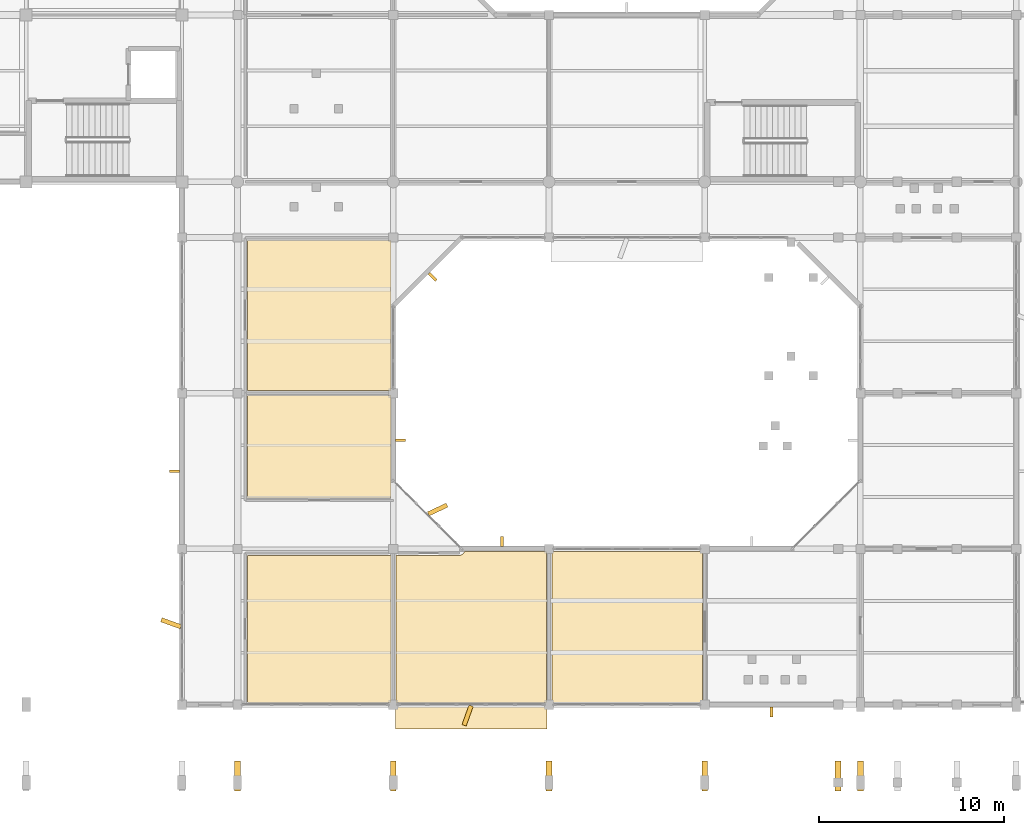
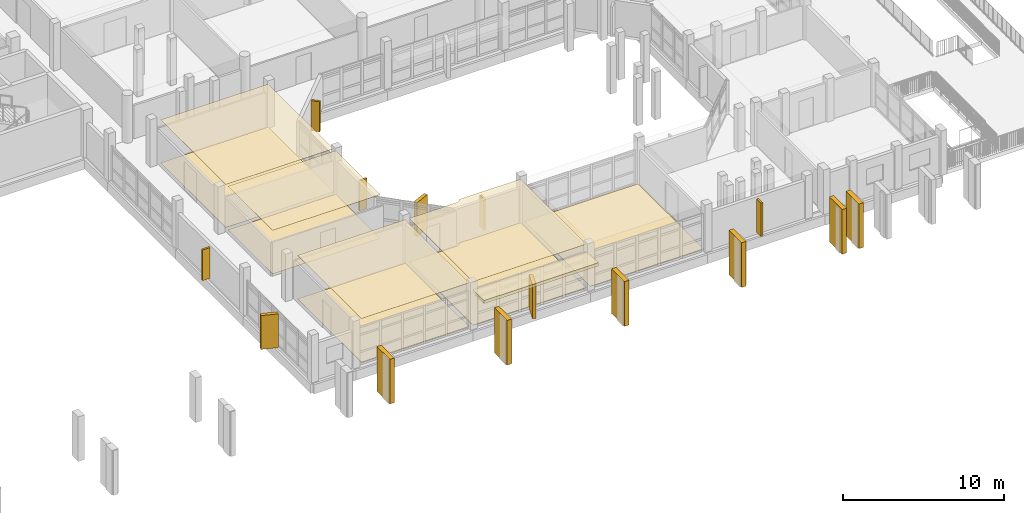
# One storey, part 80 of 104: 19 coverings, 5 shading devices.
"""IFC4 building model written with IfcOpenShell, lengths in metres."""

from ifc_helpers import new_model, si_unit, direction, frame, origin, origin_2d, place, context, subcontext, project, spatial, polyline, rectangle, outline, extrude, material, layer, layer_set, type_object, element, save


model = new_model("IFC4")

# Units and contexts
model_context = context("Model", 3, precision=1e-05, world=origin(), true_north=direction((0.0, 1.0)))
body_context = subcontext(model_context, "Body", "Model", "MODEL_VIEW")
ifc_project = project(units=[si_unit("LENGTHUNIT", "METRE"), si_unit("AREAUNIT", "SQUARE_METRE"), si_unit("VOLUMEUNIT", "CUBIC_METRE"), si_unit("PLANEANGLEUNIT", "RADIAN"), si_unit("MASSUNIT", "GRAM", prefix="KILO")], contexts=[model_context])

# Site, building, storey
site_placement = place(None, origin())
site = spatial("IfcSite", under=ifc_project, at=site_placement, CompositionType="ELEMENT")
building_placement = place(site_placement, origin())
building = spatial("IfcBuilding", under=site, at=building_placement, Name="Vanh Quang Courtyard School", CompositionType="ELEMENT")
storey_placement = place(building_placement, frame((0.0, 0.0, 4.199951171875)))
storey = spatial("IfcBuildingStorey", under=building, at=storey_placement, Name="L01", CompositionType="ELEMENT", Elevation=4.199951171875)

# Coverings
ifc_material_1 = material(Name="Perforated mineral-fibre acoustic ceiling board")
ifc_layer_1 = layer(ifc_material_1, 0.02490234375)
ifc_layer_set_1 = layer_set([ifc_layer_1], Name="Perforated mineral-fibre acoustic ceiling board")
covering_type_1 = type_object("IfcCoveringType", Name="COV-CEIL-ACOUSTIC", PredefinedType="CEILING", material=ifc_layer_set_1)
covering_1_placement = place(storey_placement, frame((0.0, 0.0, 3.295166015625)))
element("IfcCovering", 1, at=covering_1_placement, inside=storey, type_object=covering_type_1, Name="Covering CV-CL1 (L01)", PredefinedType="CEILING", context=body_context, shape_type="SweptSolid", body=[
    extrude(outline(polyline([(77.9599609375, 4.330078125), (77.958984375, 4.330078125), (77.9580078125, 4.330078125), (77.95703125, 4.330322265625), (77.956298828125, 4.330810546875), (77.955322265625, 4.331298828125), (77.954345703125, 4.331787109375), (77.95361328125, 4.332275390625), (77.952880859375, 4.3330078125), (77.952392578125, 4.333740234375), (77.95166015625, 4.33447265625), (77.951171875, 4.335205078125), (77.95068359375, 4.336181640625), (77.950439453125, 4.337158203125), (77.9501953125, 4.337890625), (77.949951171875, 4.339111328125), (77.949951171875, 4.340087890625), (77.949951171875, 12.239990234375), (77.949951171875, 12.240966796875), (77.9501953125, 12.241943359375), (77.950439453125, 12.242919921875), (77.95068359375, 12.243896484375), (77.951171875, 12.24462890625), (77.95166015625, 12.24560546875), (77.952392578125, 12.246337890625), (77.952880859375, 12.2470703125), (77.95361328125, 12.247802734375), (77.954345703125, 12.248291015625), (77.955322265625, 12.248779296875), (77.956298828125, 12.249267578125), (77.95703125, 12.24951171875), (77.9580078125, 12.249755859375), (77.958984375, 12.25), (77.9599609375, 12.25), (85.659912109375, 12.25), (85.660888671875, 12.25), (85.662109375, 12.249755859375), (85.662841796875, 12.24951171875), (85.663818359375, 12.249267578125), (85.664794921875, 12.248779296875), (85.66552734375, 12.248291015625), (85.666259765625, 12.247802734375), (85.6669921875, 12.2470703125), (85.667724609375, 12.246337890625), (85.668212890625, 12.24560546875), (85.668701171875, 12.24462890625), (85.669189453125, 12.243896484375), (85.669677734375, 12.242919921875), (85.669921875, 12.241943359375), (85.669921875, 12.240966796875), (85.669921875, 12.239990234375), (85.669921875, 4.340087890625), (85.669921875, 4.339111328125), (85.669921875, 4.337890625), (85.669677734375, 4.337158203125), (85.669189453125, 4.336181640625), (85.668701171875, 4.335205078125), (85.668212890625, 4.33447265625), (85.667724609375, 4.333740234375), (85.6669921875, 4.3330078125), (85.666259765625, 4.332275390625), (85.66552734375, 4.331787109375), (85.664794921875, 4.331298828125), (85.663818359375, 4.330810546875), (85.662841796875, 4.330322265625), (85.662109375, 4.330078125), (85.660888671875, 4.330078125), (85.659912109375, 4.330078125), (77.9599609375, 4.330078125)])), origin(), (0.0, 0.0, 1.0), 0.02490234375),
])
covering_2_placement = place(storey_placement, frame((0.0, 0.0, 3.295166015625)))
element("IfcCovering", 2, at=covering_2_placement, inside=storey, type_object=covering_type_1, Name="Covering CV-CL1 (L01)", PredefinedType="CEILING", context=body_context, shape_type="SweptSolid", body=[
    extrude(outline(polyline([(77.9599609375, 15.35009765625), (77.958984375, 15.35009765625), (77.9580078125, 15.35009765625), (77.95703125, 15.350341796875), (77.956298828125, 15.350830078125), (77.955322265625, 15.351318359375), (77.954345703125, 15.351806640625), (77.95361328125, 15.352294921875), (77.952880859375, 15.352783203125), (77.952392578125, 15.353759765625), (77.95166015625, 15.3544921875), (77.951171875, 15.355224609375), (77.95068359375, 15.356201171875), (77.950439453125, 15.357177734375), (77.9501953125, 15.35791015625), (77.949951171875, 15.35888671875), (77.949951171875, 15.360107421875), (77.949951171875, 20.860107421875), (77.949951171875, 20.861083984375), (77.9501953125, 20.862060546875), (77.950439453125, 20.86279296875), (77.95068359375, 20.86376953125), (77.951171875, 20.86474609375), (77.95166015625, 20.865478515625), (77.952392578125, 20.8662109375), (77.952880859375, 20.8671875), (77.95361328125, 20.86767578125), (77.954345703125, 20.868408203125), (77.955322265625, 20.868896484375), (77.956298828125, 20.869140625), (77.95703125, 20.86962890625), (77.9580078125, 20.869873046875), (77.958984375, 20.8701171875), (77.9599609375, 20.8701171875), (85.659912109375, 20.8701171875), (85.660888671875, 20.8701171875), (85.662109375, 20.869873046875), (85.662841796875, 20.86962890625), (85.663818359375, 20.869140625), (85.664794921875, 20.868896484375), (85.66552734375, 20.868408203125), (85.666259765625, 20.86767578125), (85.6669921875, 20.8671875), (85.667724609375, 20.8662109375), (85.668212890625, 20.865478515625), (85.668701171875, 20.86474609375), (85.669189453125, 20.86376953125), (85.669677734375, 20.86279296875), (85.669921875, 20.862060546875), (85.669921875, 20.861083984375), (85.669921875, 20.860107421875), (85.669921875, 15.360107421875), (85.669921875, 15.35888671875), (85.669921875, 15.35791015625), (85.669677734375, 15.357177734375), (85.669189453125, 15.356201171875), (85.668701171875, 15.355224609375), (85.668212890625, 15.3544921875), (85.667724609375, 15.353759765625), (85.6669921875, 15.352783203125), (85.666259765625, 15.352294921875), (85.66552734375, 15.351806640625), (85.664794921875, 15.351318359375), (85.663818359375, 15.350830078125), (85.662841796875, 15.350341796875), (85.662109375, 15.35009765625), (85.660888671875, 15.35009765625), (85.659912109375, 15.35009765625), (77.9599609375, 15.35009765625)])), origin(), (0.0, 0.0, 1.0), 0.02490234375),
])
covering_3_placement = place(storey_placement, frame((0.0, 0.0, 3.255126953125)))
element("IfcCovering", 3, at=covering_3_placement, inside=storey, type_object=covering_type_1, Name="Covering CV-CL1 (L01)", PredefinedType="CEILING", context=body_context, shape_type="SweptSolid", body=[
    extrude(outline(polyline([(77.9599609375, 21.14990234375), (77.958984375, 21.14990234375), (77.9580078125, 21.150146484375), (77.95703125, 21.150390625), (77.956298828125, 21.15087890625), (77.955322265625, 21.151123046875), (77.954345703125, 21.151611328125), (77.95361328125, 21.15234375), (77.952880859375, 21.15283203125), (77.952392578125, 21.15380859375), (77.95166015625, 21.154296875), (77.951171875, 21.1552734375), (77.95068359375, 21.15625), (77.950439453125, 21.156982421875), (77.9501953125, 21.157958984375), (77.949951171875, 21.158935546875), (77.949951171875, 21.159912109375), (77.949951171875, 29.239990234375), (77.949951171875, 29.240966796875), (77.9501953125, 29.241943359375), (77.950439453125, 29.242919921875), (77.95068359375, 29.243896484375), (77.951171875, 29.24462890625), (77.95166015625, 29.24560546875), (77.952392578125, 29.246337890625), (77.952880859375, 29.2470703125), (77.95361328125, 29.247802734375), (77.954345703125, 29.248291015625), (77.955322265625, 29.248779296875), (77.956298828125, 29.249267578125), (77.95703125, 29.24951171875), (77.9580078125, 29.249755859375), (77.958984375, 29.25), (77.9599609375, 29.25), (85.659912109375, 29.25), (85.660888671875, 29.25), (85.662109375, 29.249755859375), (85.662841796875, 29.24951171875), (85.663818359375, 29.249267578125), (85.664794921875, 29.248779296875), (85.66552734375, 29.248291015625), (85.666259765625, 29.247802734375), (85.6669921875, 29.2470703125), (85.667724609375, 29.246337890625), (85.668212890625, 29.24560546875), (85.668701171875, 29.24462890625), (85.669189453125, 29.243896484375), (85.669677734375, 29.242919921875), (85.669921875, 29.241943359375), (85.669921875, 29.240966796875), (85.669921875, 29.239990234375), (85.669921875, 21.159912109375), (85.669921875, 21.158935546875), (85.669921875, 21.157958984375), (85.669677734375, 21.156982421875), (85.669189453125, 21.15625), (85.668701171875, 21.1552734375), (85.668212890625, 21.154296875), (85.667724609375, 21.15380859375), (85.6669921875, 21.15283203125), (85.666259765625, 21.15234375), (85.66552734375, 21.151611328125), (85.664794921875, 21.151123046875), (85.663818359375, 21.15087890625), (85.662841796875, 21.150390625), (85.662109375, 21.150146484375), (85.660888671875, 21.14990234375), (85.659912109375, 21.14990234375), (77.9599609375, 21.14990234375)])), origin(), (0.0, 0.0, 1.0), 0.02490234375),
])
covering_4_placement = place(storey_placement, frame((0.0, 0.0, 3.295166015625)))
element("IfcCovering", 4, at=covering_4_placement, inside=storey, type_object=covering_type_1, Name="Covering CV-CL1 (L01)", PredefinedType="CEILING", context=body_context, shape_type="SweptSolid", body=[
    extrude(outline(polyline([(85.9599609375, 4.330078125), (85.958984375, 4.330078125), (85.9580078125, 4.330078125), (85.95703125, 4.330322265625), (85.956298828125, 4.330810546875), (85.955322265625, 4.331298828125), (85.954345703125, 4.331787109375), (85.95361328125, 4.332275390625), (85.952880859375, 4.3330078125), (85.952392578125, 4.333740234375), (85.95166015625, 4.33447265625), (85.951171875, 4.335205078125), (85.95068359375, 4.336181640625), (85.950439453125, 4.337158203125), (85.9501953125, 4.337890625), (85.949951171875, 4.339111328125), (85.949951171875, 4.340087890625), (85.949951171875, 12.239990234375), (85.949951171875, 12.240966796875), (85.9501953125, 12.241943359375), (85.950439453125, 12.242919921875), (85.95068359375, 12.243896484375), (85.951171875, 12.24462890625), (85.95166015625, 12.24560546875), (85.952392578125, 12.246337890625), (85.952880859375, 12.2470703125), (85.95361328125, 12.247802734375), (85.954345703125, 12.248291015625), (85.955322265625, 12.248779296875), (85.956298828125, 12.249267578125), (85.95703125, 12.24951171875), (85.9580078125, 12.249755859375), (85.958984375, 12.25), (85.9599609375, 12.25), (89.37939453125, 12.2509765625), (89.462646484375, 12.269775390625), (89.547119140625, 12.3203125), (89.6025390625, 12.384521484375), (89.637939453125, 12.464111328125), (89.63818359375, 12.46484375), (89.638916015625, 12.4658203125), (89.639404296875, 12.466552734375), (89.639892578125, 12.46728515625), (89.640869140625, 12.4677734375), (89.6416015625, 12.468505859375), (89.642333984375, 12.468994140625), (89.643310546875, 12.46923828125), (89.644287109375, 12.469482421875), (89.64501953125, 12.4697265625), (89.64599609375, 12.469970703125), (89.64697265625, 12.469970703125), (94.06005859375, 12.469970703125), (94.06103515625, 12.469970703125), (94.06201171875, 12.4697265625), (94.06298828125, 12.469482421875), (94.063720703125, 12.46923828125), (94.064697265625, 12.46875), (94.065673828125, 12.46826171875), (94.06640625, 12.4677734375), (94.067138671875, 12.467041015625), (94.067626953125, 12.46630859375), (94.068359375, 12.465576171875), (94.06884765625, 12.464599609375), (94.069091796875, 12.4638671875), (94.069580078125, 12.462890625), (94.06982421875, 12.4619140625), (94.070068359375, 12.4609375), (94.070068359375, 12.4599609375), (94.070068359375, 4.340087890625), (94.070068359375, 4.339111328125), (94.06982421875, 4.337890625), (94.069580078125, 4.337158203125), (94.069091796875, 4.336181640625), (94.06884765625, 4.335205078125), (94.068359375, 4.33447265625), (94.067626953125, 4.333740234375), (94.067138671875, 4.3330078125), (94.06640625, 4.332275390625), (94.065673828125, 4.331787109375), (94.064697265625, 4.331298828125), (94.063720703125, 4.330810546875), (94.06298828125, 4.330322265625), (94.06201171875, 4.330078125), (94.06103515625, 4.330078125), (94.06005859375, 4.330078125), (85.9599609375, 4.330078125)])), origin(), (0.0, 0.0, 1.0), 0.02490234375),
])
ifc_material_2 = material(Name="Polished cementitious terrazzo tile", Category="concrete")
ifc_layer_2 = layer(ifc_material_2, 0.02001953125)
ifc_layer_set_2 = layer_set([ifc_layer_2], Name="Polished cementitious terrazzo tile")
covering_type_2 = type_object("IfcCoveringType", Name="COV-FLR-TERRAZZO", PredefinedType="FLOORING", material=ifc_layer_set_2)
covering_5_placement = place(storey_placement, origin())
element("IfcCovering", 5, at=covering_5_placement, inside=storey, type_object=covering_type_2, Name="Covering CV-FL1 (L01)", PredefinedType="FLOORING", context=body_context, shape_type="SweptSolid", body=[
    extrude(outline(polyline([(77.9599609375, 4.330078125), (77.958984375, 4.330078125), (77.9580078125, 4.330078125), (77.95703125, 4.330322265625), (77.956298828125, 4.330810546875), (77.955322265625, 4.331298828125), (77.954345703125, 4.331787109375), (77.95361328125, 4.332275390625), (77.952880859375, 4.3330078125), (77.952392578125, 4.333740234375), (77.95166015625, 4.33447265625), (77.951171875, 4.335205078125), (77.95068359375, 4.336181640625), (77.950439453125, 4.337158203125), (77.9501953125, 4.337890625), (77.949951171875, 4.339111328125), (77.949951171875, 4.340087890625), (77.949951171875, 12.239990234375), (77.949951171875, 12.240966796875), (77.9501953125, 12.241943359375), (77.950439453125, 12.242919921875), (77.95068359375, 12.243896484375), (77.951171875, 12.24462890625), (77.95166015625, 12.24560546875), (77.952392578125, 12.246337890625), (77.952880859375, 12.2470703125), (77.95361328125, 12.247802734375), (77.954345703125, 12.248291015625), (77.955322265625, 12.248779296875), (77.956298828125, 12.249267578125), (77.95703125, 12.24951171875), (77.9580078125, 12.249755859375), (77.958984375, 12.25), (77.9599609375, 12.25), (85.659912109375, 12.25), (85.660888671875, 12.25), (85.662109375, 12.249755859375), (85.662841796875, 12.24951171875), (85.663818359375, 12.249267578125), (85.664794921875, 12.248779296875), (85.66552734375, 12.248291015625), (85.666259765625, 12.247802734375), (85.6669921875, 12.2470703125), (85.667724609375, 12.246337890625), (85.668212890625, 12.24560546875), (85.668701171875, 12.24462890625), (85.669189453125, 12.243896484375), (85.669677734375, 12.242919921875), (85.669921875, 12.241943359375), (85.669921875, 12.240966796875), (85.669921875, 12.239990234375), (85.669921875, 4.340087890625), (85.669921875, 4.339111328125), (85.669921875, 4.337890625), (85.669677734375, 4.337158203125), (85.669189453125, 4.336181640625), (85.668701171875, 4.335205078125), (85.668212890625, 4.33447265625), (85.667724609375, 4.333740234375), (85.6669921875, 4.3330078125), (85.666259765625, 4.332275390625), (85.66552734375, 4.331787109375), (85.664794921875, 4.331298828125), (85.663818359375, 4.330810546875), (85.662841796875, 4.330322265625), (85.662109375, 4.330078125), (85.660888671875, 4.330078125), (85.659912109375, 4.330078125), (77.9599609375, 4.330078125)])), origin(), (0.0, 0.0, 1.0), 0.02001953125),
])
covering_6_placement = place(storey_placement, origin())
element("IfcCovering", 6, at=covering_6_placement, inside=storey, type_object=covering_type_2, Name="Covering CV-FL1 (L01)", PredefinedType="FLOORING", context=body_context, shape_type="SweptSolid", body=[
    extrude(outline(polyline([(77.9599609375, 15.35009765625), (77.958984375, 15.35009765625), (77.9580078125, 15.35009765625), (77.95703125, 15.350341796875), (77.956298828125, 15.350830078125), (77.955322265625, 15.351318359375), (77.954345703125, 15.351806640625), (77.95361328125, 15.352294921875), (77.952880859375, 15.352783203125), (77.952392578125, 15.353759765625), (77.95166015625, 15.3544921875), (77.951171875, 15.355224609375), (77.95068359375, 15.356201171875), (77.950439453125, 15.357177734375), (77.9501953125, 15.35791015625), (77.949951171875, 15.35888671875), (77.949951171875, 15.360107421875), (77.949951171875, 20.860107421875), (77.949951171875, 20.861083984375), (77.9501953125, 20.862060546875), (77.950439453125, 20.86279296875), (77.95068359375, 20.86376953125), (77.951171875, 20.86474609375), (77.95166015625, 20.865478515625), (77.952392578125, 20.8662109375), (77.952880859375, 20.8671875), (77.95361328125, 20.86767578125), (77.954345703125, 20.868408203125), (77.955322265625, 20.868896484375), (77.956298828125, 20.869140625), (77.95703125, 20.86962890625), (77.9580078125, 20.869873046875), (77.958984375, 20.8701171875), (77.9599609375, 20.8701171875), (85.659912109375, 20.8701171875), (85.660888671875, 20.8701171875), (85.662109375, 20.869873046875), (85.662841796875, 20.86962890625), (85.663818359375, 20.869140625), (85.664794921875, 20.868896484375), (85.66552734375, 20.868408203125), (85.666259765625, 20.86767578125), (85.6669921875, 20.8671875), (85.667724609375, 20.8662109375), (85.668212890625, 20.865478515625), (85.668701171875, 20.86474609375), (85.669189453125, 20.86376953125), (85.669677734375, 20.86279296875), (85.669921875, 20.862060546875), (85.669921875, 20.861083984375), (85.669921875, 20.860107421875), (85.669921875, 15.360107421875), (85.669921875, 15.35888671875), (85.669921875, 15.35791015625), (85.669677734375, 15.357177734375), (85.669189453125, 15.356201171875), (85.668701171875, 15.355224609375), (85.668212890625, 15.3544921875), (85.667724609375, 15.353759765625), (85.6669921875, 15.352783203125), (85.666259765625, 15.352294921875), (85.66552734375, 15.351806640625), (85.664794921875, 15.351318359375), (85.663818359375, 15.350830078125), (85.662841796875, 15.350341796875), (85.662109375, 15.35009765625), (85.660888671875, 15.35009765625), (85.659912109375, 15.35009765625), (77.9599609375, 15.35009765625)])), origin(), (0.0, 0.0, 1.0), 0.02001953125),
])
covering_7_placement = place(storey_placement, origin())
element("IfcCovering", 7, at=covering_7_placement, inside=storey, type_object=covering_type_2, Name="Covering CV-FL1 (L01)", PredefinedType="FLOORING", context=body_context, shape_type="SweptSolid", body=[
    extrude(outline(polyline([(77.9599609375, 21.14990234375), (77.958984375, 21.14990234375), (77.9580078125, 21.150146484375), (77.95703125, 21.150390625), (77.956298828125, 21.15087890625), (77.955322265625, 21.151123046875), (77.954345703125, 21.151611328125), (77.95361328125, 21.15234375), (77.952880859375, 21.15283203125), (77.952392578125, 21.15380859375), (77.95166015625, 21.154296875), (77.951171875, 21.1552734375), (77.95068359375, 21.15625), (77.950439453125, 21.156982421875), (77.9501953125, 21.157958984375), (77.949951171875, 21.158935546875), (77.949951171875, 21.159912109375), (77.949951171875, 29.239990234375), (77.949951171875, 29.240966796875), (77.9501953125, 29.241943359375), (77.950439453125, 29.242919921875), (77.95068359375, 29.243896484375), (77.951171875, 29.24462890625), (77.95166015625, 29.24560546875), (77.952392578125, 29.246337890625), (77.952880859375, 29.2470703125), (77.95361328125, 29.247802734375), (77.954345703125, 29.248291015625), (77.955322265625, 29.248779296875), (77.956298828125, 29.249267578125), (77.95703125, 29.24951171875), (77.9580078125, 29.249755859375), (77.958984375, 29.25), (77.9599609375, 29.25), (85.659912109375, 29.25), (85.660888671875, 29.25), (85.662109375, 29.249755859375), (85.662841796875, 29.24951171875), (85.663818359375, 29.249267578125), (85.664794921875, 29.248779296875), (85.66552734375, 29.248291015625), (85.666259765625, 29.247802734375), (85.6669921875, 29.2470703125), (85.667724609375, 29.246337890625), (85.668212890625, 29.24560546875), (85.668701171875, 29.24462890625), (85.669189453125, 29.243896484375), (85.669677734375, 29.242919921875), (85.669921875, 29.241943359375), (85.669921875, 29.240966796875), (85.669921875, 29.239990234375), (85.669921875, 21.159912109375), (85.669921875, 21.158935546875), (85.669921875, 21.157958984375), (85.669677734375, 21.156982421875), (85.669189453125, 21.15625), (85.668701171875, 21.1552734375), (85.668212890625, 21.154296875), (85.667724609375, 21.15380859375), (85.6669921875, 21.15283203125), (85.666259765625, 21.15234375), (85.66552734375, 21.151611328125), (85.664794921875, 21.151123046875), (85.663818359375, 21.15087890625), (85.662841796875, 21.150390625), (85.662109375, 21.150146484375), (85.660888671875, 21.14990234375), (85.659912109375, 21.14990234375), (77.9599609375, 21.14990234375)])), origin(), (0.0, 0.0, 1.0), 0.02001953125),
])
covering_8_placement = place(storey_placement, origin())
element("IfcCovering", 8, at=covering_8_placement, inside=storey, type_object=covering_type_2, Name="Covering CV-FL1 (L01)", PredefinedType="FLOORING", context=body_context, shape_type="SweptSolid", body=[
    extrude(outline(polyline([(85.9599609375, 4.330078125), (85.958984375, 4.330078125), (85.9580078125, 4.330078125), (85.95703125, 4.330322265625), (85.956298828125, 4.330810546875), (85.955322265625, 4.331298828125), (85.954345703125, 4.331787109375), (85.95361328125, 4.332275390625), (85.952880859375, 4.3330078125), (85.952392578125, 4.333740234375), (85.95166015625, 4.33447265625), (85.951171875, 4.335205078125), (85.95068359375, 4.336181640625), (85.950439453125, 4.337158203125), (85.9501953125, 4.337890625), (85.949951171875, 4.339111328125), (85.949951171875, 4.340087890625), (85.949951171875, 12.239990234375), (85.949951171875, 12.240966796875), (85.9501953125, 12.241943359375), (85.950439453125, 12.242919921875), (85.95068359375, 12.243896484375), (85.951171875, 12.24462890625), (85.95166015625, 12.24560546875), (85.952392578125, 12.246337890625), (85.952880859375, 12.2470703125), (85.95361328125, 12.247802734375), (85.954345703125, 12.248291015625), (85.955322265625, 12.248779296875), (85.956298828125, 12.249267578125), (85.95703125, 12.24951171875), (85.9580078125, 12.249755859375), (85.958984375, 12.25), (85.9599609375, 12.25), (89.37939453125, 12.2509765625), (89.462646484375, 12.269775390625), (89.547119140625, 12.3203125), (89.6025390625, 12.384521484375), (89.637939453125, 12.464111328125), (89.63818359375, 12.46484375), (89.638916015625, 12.4658203125), (89.639404296875, 12.466552734375), (89.639892578125, 12.46728515625), (89.640869140625, 12.4677734375), (89.6416015625, 12.468505859375), (89.642333984375, 12.468994140625), (89.643310546875, 12.46923828125), (89.644287109375, 12.469482421875), (89.64501953125, 12.4697265625), (89.64599609375, 12.469970703125), (89.64697265625, 12.469970703125), (94.06005859375, 12.469970703125), (94.06103515625, 12.469970703125), (94.06201171875, 12.4697265625), (94.06298828125, 12.469482421875), (94.063720703125, 12.46923828125), (94.064697265625, 12.46875), (94.065673828125, 12.46826171875), (94.06640625, 12.4677734375), (94.067138671875, 12.467041015625), (94.067626953125, 12.46630859375), (94.068359375, 12.465576171875), (94.06884765625, 12.464599609375), (94.069091796875, 12.4638671875), (94.069580078125, 12.462890625), (94.06982421875, 12.4619140625), (94.070068359375, 12.4609375), (94.070068359375, 12.4599609375), (94.070068359375, 4.340087890625), (94.070068359375, 4.339111328125), (94.06982421875, 4.337890625), (94.069580078125, 4.337158203125), (94.069091796875, 4.336181640625), (94.06884765625, 4.335205078125), (94.068359375, 4.33447265625), (94.067626953125, 4.333740234375), (94.067138671875, 4.3330078125), (94.06640625, 4.332275390625), (94.065673828125, 4.331787109375), (94.064697265625, 4.331298828125), (94.063720703125, 4.330810546875), (94.06298828125, 4.330322265625), (94.06201171875, 4.330078125), (94.06103515625, 4.330078125), (94.06005859375, 4.330078125), (85.9599609375, 4.330078125)])), origin(), (0.0, 0.0, 1.0), 0.02001953125),
])
covering_9_placement = place(storey_placement, origin())
element("IfcCovering", 9, at=covering_9_placement, inside=storey, type_object=covering_type_2, Name="Covering CV-FL1 (L01)", PredefinedType="FLOORING", context=body_context, shape_type="SweptSolid", body=[
    extrude(outline(polyline([(94.35009765625, 12.4599609375), (94.35009765625, 12.4609375), (94.35009765625, 12.4619140625), (94.350341796875, 12.462890625), (94.350830078125, 12.4638671875), (94.351318359375, 12.464599609375), (94.351806640625, 12.465576171875), (94.352294921875, 12.46630859375), (94.352783203125, 12.467041015625), (94.353759765625, 12.4677734375), (94.3544921875, 12.46826171875), (94.355224609375, 12.46875), (94.356201171875, 12.46923828125), (94.357177734375, 12.469482421875), (94.35791015625, 12.4697265625), (94.35888671875, 12.469970703125), (94.360107421875, 12.469970703125), (102.4599609375, 12.469970703125), (102.4609375, 12.469970703125), (102.4619140625, 12.4697265625), (102.462890625, 12.469482421875), (102.4638671875, 12.46923828125), (102.464599609375, 12.46875), (102.465576171875, 12.46826171875), (102.46630859375, 12.4677734375), (102.467041015625, 12.467041015625), (102.4677734375, 12.46630859375), (102.46826171875, 12.465576171875), (102.46875, 12.464599609375), (102.46923828125, 12.4638671875), (102.469482421875, 12.462890625), (102.4697265625, 12.4619140625), (102.469970703125, 12.4609375), (102.469970703125, 12.4599609375), (102.469970703125, 4.340087890625), (102.469970703125, 4.339111328125), (102.4697265625, 4.337890625), (102.469482421875, 4.337158203125), (102.46923828125, 4.336181640625), (102.46875, 4.335205078125), (102.46826171875, 4.33447265625), (102.4677734375, 4.333740234375), (102.467041015625, 4.3330078125), (102.46630859375, 4.332275390625), (102.465576171875, 4.331787109375), (102.464599609375, 4.331298828125), (102.4638671875, 4.330810546875), (102.462890625, 4.330322265625), (102.4619140625, 4.330078125), (102.4609375, 4.330078125), (102.4599609375, 4.330078125), (94.360107421875, 4.330078125), (94.35888671875, 4.330078125), (94.35791015625, 4.330078125), (94.357177734375, 4.330322265625), (94.356201171875, 4.330810546875), (94.355224609375, 4.331298828125), (94.3544921875, 4.331787109375), (94.353759765625, 4.332275390625), (94.352783203125, 4.3330078125), (94.352294921875, 4.333740234375), (94.351806640625, 4.33447265625), (94.351318359375, 4.335205078125), (94.350830078125, 4.336181640625), (94.350341796875, 4.337158203125), (94.35009765625, 4.337890625), (94.35009765625, 4.339111328125), (94.35009765625, 4.340087890625), (94.35009765625, 12.4599609375)])), origin(), (0.0, 0.0, 1.0), 0.02001953125),
])
ifc_material_3 = material(Name="Board-marked precast concrete C40/50", Category="concrete")
ifc_layer_3 = layer(ifc_material_3, 0.239990234375)
ifc_layer_set_3 = layer_set([ifc_layer_3], Name="Board-marked precast concrete C40/50")
covering_type_3 = type_object("IfcCoveringType", Name="COV-HOOD-CONC", PredefinedType="CLADDING", material=ifc_layer_set_3)
covering_10_placement = place(storey_placement, frame((90.0, 3.580078125, 2.5400390625), z_axis=(0.0, 0.0, 1.0), x_axis=(-1.0, 0.0, 0.0)))
element("IfcCovering", 10, at=covering_10_placement, inside=storey, type_object=covering_type_3, Name="Covering CH-01 (L01)", PredefinedType="CLADDING", context=body_context, shape_type="SweptSolid", body=[
    extrude(rectangle(XDim=8.18408203125, YDim=1.39990234375, at=origin_2d()), origin(), (0.0, 0.0, 1.0), 0.239990234375),
])
for number, where, z_axis, x_axis, name in (
    (11, (89.81005859375, 3.614990234375, 0.0), (0.0, 0.0, 1.0), (-0.340379550213, -0.94028812701, 0.0), "Covering CH-01 (L01)"),
    (12, (73.81494140625, 8.590087890625, 0.0), (0.0, 0.0, 1.0), (-0.94028812701, 0.340379550213, 0.0), "Covering CH-01 (L01)"),
    (13, (88.196044921875, 14.727294921875, 0.0), (0.0, 0.0, 1.0), (0.905494748453, 0.424357467855, 0.0), "Covering CH-01 (L01)"),
):
    element("IfcCovering", number, at=place(storey_placement, frame(where, z_axis=z_axis, x_axis=x_axis)), inside=storey, type_object=covering_type_3, Name=name, PredefinedType="CLADDING", context=body_context, shape_type="SweptSolid", body=[
        extrude(rectangle(XDim=1.11669921875, YDim=0.239990234375, at=origin_2d()), origin(), (0.0, 0.0, 1.0), 2.56005859375),
    ])
for number, where, z_axis, x_axis, name in (
    (14, (77.39990234375, 0.35009765625, 0.0), (0.0, 0.0, 1.0), (0.0, 1.0, 0.0), "Covering CH-01 (L01)"),
    (15, (85.800048828125, 0.35009765625, 0.0), (0.0, 0.0, 1.0), (0.0, 1.0, 0.0), "Covering CH-01 (L01)"),
    (16, (94.199951171875, 0.35009765625, 0.0), (0.0, 0.0, 1.0), (0.0, 1.0, 0.0), "Covering CH-01 (L01)"),
    (17, (102.60009765625, 0.35009765625, 0.0), (0.0, 0.0, 1.0), (0.0, 1.0, 0.0), "Covering CH-01 (L01)"),
    (18, (111.0, 0.35009765625, 0.0), (0.0, 0.0, 1.0), (0.0, 1.0, 0.0), "Covering CH-01 (L01)"),
    (19, (109.800048828125, 0.35009765625, 0.0), (0.0, 0.0, 1.0), (0.0, 1.0, 0.0), "Covering CH-01 (L01)"),
):
    element("IfcCovering", number, at=place(storey_placement, frame(where, z_axis=z_axis, x_axis=x_axis)), inside=storey, type_object=covering_type_3, Name=name, PredefinedType="CLADDING", context=body_context, shape_type="SweptSolid", body=[
        extrude(rectangle(XDim=1.60009765625, YDim=0.320068359375, at=origin_2d()), origin(), (0.0, 0.0, 1.0), 3.3798828125),
    ])

# Shading devices
shading_device_type = type_object("IfcShadingDeviceType", Name="SHD-FIN-CONCRETE", PredefinedType="USERDEFINED", material=ifc_material_3)
shading_device_placement = place(storey_placement, frame((106.199951171875, 3.804931640625, 0.14990234375), z_axis=(0.0, 0.0, 1.0), x_axis=(-1.0, 0.0, 0.0)))
element("IfcShadingDevice", 20, at=shading_device_placement, inside=storey, type_object=shading_device_type, Name="Solar Shading SH-02 (L01)", ObjectType="Solar Shading SH-02 (L01)", PredefinedType="USERDEFINED", context=body_context, shape_type="SweptSolid", body=[
    extrude(rectangle(XDim=0.139892578125, YDim=0.550048828125, at=origin_2d()), origin(), (0.0, 0.0, 1.0), 2.530029296875),
])
for number, where, z_axis, x_axis, name in (
    (21, (74.0048828125, 16.800048828125, 0.14990234375), (0.0, 0.0, 1.0), (0.0, 1.0, 0.0), "Solar Shading SH-02 (L01)"),
    (22, (91.6640625, 12.9951171875, 0.14990234375), (0.0, 0.0, 1.0), (1.0, 0.0, 0.0), "Solar Shading SH-02 (L01)"),
):
    element("IfcShadingDevice", number, at=place(storey_placement, frame(where, z_axis=z_axis, x_axis=x_axis)), inside=storey, type_object=shading_device_type, Name=name, ObjectType="Solar Shading SH-02 (L01)", PredefinedType="USERDEFINED", context=body_context, shape_type="SweptSolid", body=[
        extrude(rectangle(XDim=0.139892578125, YDim=0.550048828125, at=origin_2d()), origin(), (0.0, 0.0, 1.0), 2.320068359375),
    ])
for number, where, z_axis, x_axis, name in (
    (23, (87.92724609375, 27.272705078125, 0.14990234375), (0.0, 0.0, 1.0), (-0.707106781187, -0.707106781187, 0.0), "Solar Shading SH-02 (L01)"),
    (24, (86.195068359375, 18.464111328125, 0.14990234375), (0.0, 0.0, 1.0), (0.0, -1.0, 0.0), "Solar Shading SH-02 (L01)"),
):
    element("IfcShadingDevice", number, at=place(storey_placement, frame(where, z_axis=z_axis, x_axis=x_axis)), inside=storey, type_object=shading_device_type, Name=name, ObjectType="Solar Shading SH-02 (L01)", PredefinedType="USERDEFINED", context=body_context, shape_type="SweptSolid", body=[
        extrude(rectangle(XDim=0.139892578125, YDim=0.550048828125, at=origin_2d()), origin(), (0.0, 0.0, 1.0), 2.280029296875),
    ])

save(model, "model.ifc")
